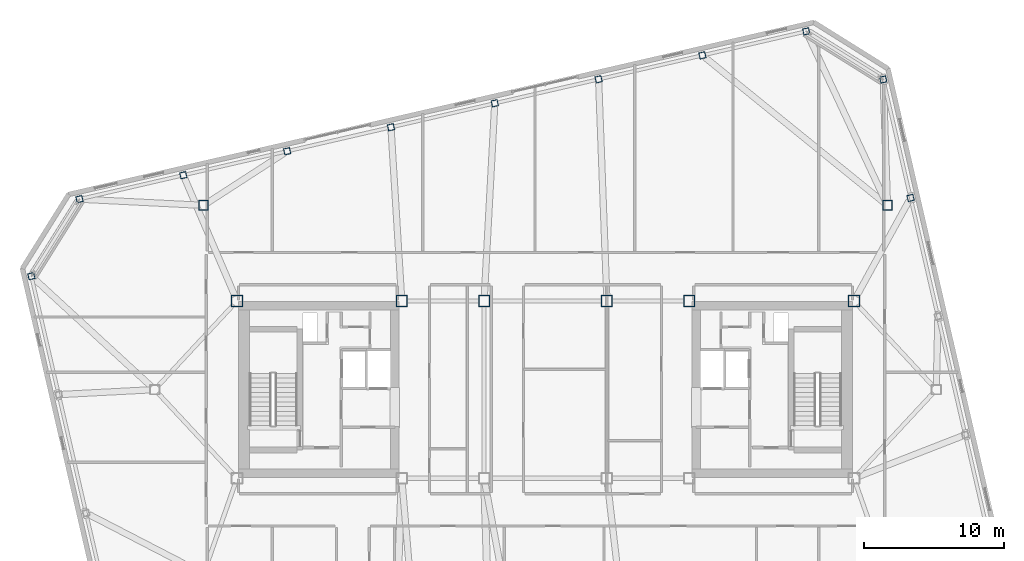
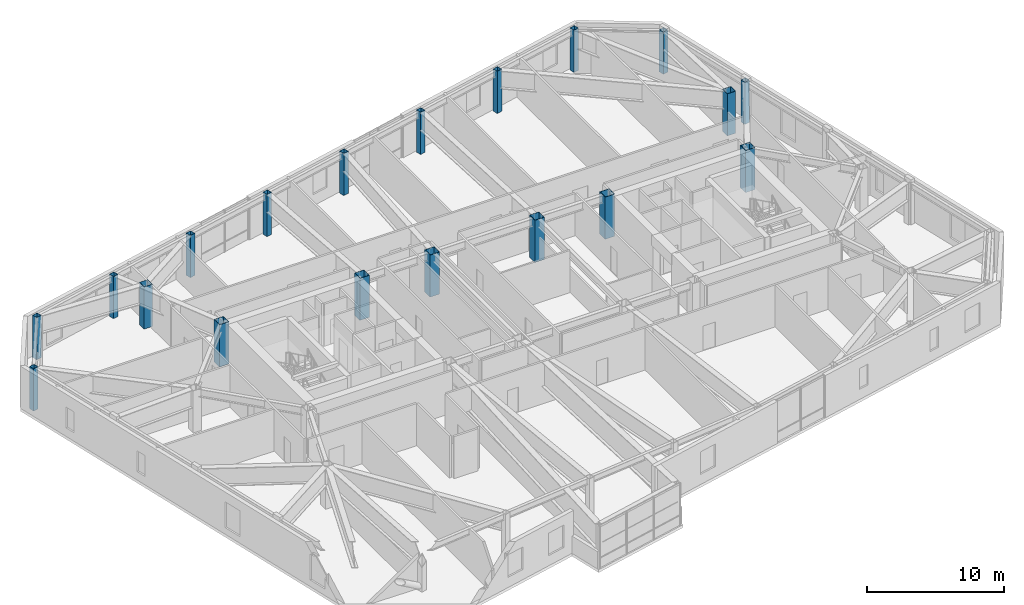
# One storey, part 3 of 23: 19 columns.
"""IFC4 building model written with IfcOpenShell, lengths in metres."""

from ifc_helpers import new_model, si_unit, direction, frame, origin, origin_2d, place, context, subcontext, project, spatial, hollow_rectangle, extrude, material, material_profile, profile_set, type_object, element, save


model = new_model("IFC4")

# Units and contexts
model_context = context("Model", 3, precision=1e-05, world=origin(), true_north=direction((0.0, 1.0)))
body_context = subcontext(model_context, "Body", "Model", "MODEL_VIEW")
ifc_project = project(units=[si_unit("LENGTHUNIT", "METRE"), si_unit("AREAUNIT", "SQUARE_METRE"), si_unit("VOLUMEUNIT", "CUBIC_METRE"), si_unit("PLANEANGLEUNIT", "RADIAN"), si_unit("MASSUNIT", "GRAM", prefix="KILO")], contexts=[model_context])

# Site, building, storey
site_placement = place(None, origin())
site = spatial("IfcSite", under=ifc_project, at=site_placement, CompositionType="ELEMENT")
building_placement = place(site_placement, origin())
building = spatial("IfcBuilding", under=site, at=building_placement, Name="Tavrogorsk Clinical Tower", CompositionType="ELEMENT")
storey_placement = place(building_placement, frame((0.0, 0.0, 277.0)))
storey = spatial("IfcBuildingStorey", under=building, at=storey_placement, Name="L64", CompositionType="ELEMENT", Elevation=277.0)

# Columns
ifc_material_1 = material(Name="Structural steel S440", Category="steel")
ifc_material_profile_1 = material_profile(ifc_material_1, hollow_rectangle(XDim=0.699951171875, YDim=0.699951171875, WallThickness=0.031982421875, at=origin_2d()), Name="BOX-700x700x32")
ifc_profile_set_1 = profile_set([ifc_material_profile_1], Name="Structural steel S440")
column_type_1 = type_object("IfcColumnType", Name="MegaCol_BOX700", PredefinedType="COLUMN", material=ifc_profile_set_1)
for number, where, z_axis, x_axis, name in (
    (1, (-24.5, 13.199951171875, 0.0), (0.0, 0.0, 1.0), (1.0, 0.0, 0.0), "L64 Spine Pilotis Column MC-P3"),
    (2, (24.5, 13.199951171875, 0.0), (0.0, 0.0, 1.0), (1.0, 0.0, 0.0), "L64 Spine Pilotis Column MC-P4"),
):
    element("IfcColumn", number, at=place(storey_placement, frame(where, z_axis=z_axis, x_axis=x_axis)), inside=storey, type_object=column_type_1, Name=name, PredefinedType="COLUMN", context=body_context, shape_type="SweptSolid", body=[
        extrude(hollow_rectangle(XDim=0.699951171875, YDim=0.699951171875, WallThickness=0.031982421875, at=origin_2d()), origin(), (0.0, 0.0, 1.0), 3.739990234375),
    ])
ifc_material_2 = material(Name="Structural steel S440", Category="steel")
ifc_material_profile_2 = material_profile(ifc_material_2, hollow_rectangle(XDim=0.800048828125, YDim=0.800048828125, WallThickness=0.035888671875, at=origin_2d()), Name="BOX-800x800x36")
ifc_profile_set_2 = profile_set([ifc_material_profile_2], Name="Structural steel S440")
column_type_2 = type_object("IfcColumnType", Name="MegaCol_BOX800", PredefinedType="COLUMN", material=ifc_profile_set_2)
for number, where, z_axis, x_axis, name in (
    (3, (-22.10009765625, 6.35009765625, 0.0), (0.0, 0.0, 1.0), (1.0, 0.0, 0.0), "L64 Mega Column MC-W2"),
    (4, (-10.300048828125, 6.35009765625, 0.0), (0.0, 0.0, 1.0), (1.0, 0.0, 0.0), "L64 Mega Column MC-W4"),
    (5, (10.300048828125, 6.35009765625, 0.0), (0.0, 0.0, 1.0), (1.0, 0.0, 0.0), "L64 Mega Column MC-E2"),
    (6, (22.10009765625, 6.35009765625, 0.0), (0.0, 0.0, 1.0), (1.0, 0.0, 0.0), "L64 Mega Column MC-E4"),
    (7, (-4.39990234375, 6.35009765625, 0.0), (0.0, 0.0, 1.0), (1.0, 0.0, 0.0), "L64 Mega Column MC-C3"),
    (8, (4.39990234375, 6.35009765625, 0.0), (0.0, 0.0, 1.0), (1.0, 0.0, 0.0), "L64 Mega Column MC-C4"),
):
    element("IfcColumn", number, at=place(storey_placement, frame(where, z_axis=z_axis, x_axis=x_axis)), inside=storey, type_object=column_type_2, Name=name, PredefinedType="COLUMN", context=body_context, shape_type="SweptSolid", body=[
        extrude(hollow_rectangle(XDim=0.800048828125, YDim=0.800048828125, WallThickness=0.035888671875, at=origin_2d()), origin(), (0.0, 0.0, 1.0), 3.739990234375),
    ])
ifc_material_3 = material(Name="Structural steel S440", Category="steel")
ifc_material_profile_3 = material_profile(ifc_material_3, hollow_rectangle(XDim=0.449951171875, YDim=0.449951171875, WallThickness=0.02197265625, at=origin_2d()), Name="BOX-450x450x22")
ifc_profile_set_3 = profile_set([ifc_material_profile_3], Name="Structural steel S440")
column_type_3 = type_object("IfcColumnType", Name="PerimCol_B5_BOX450", PredefinedType="COLUMN", material=ifc_profile_set_3)
for number, where, z_axis, x_axis, name in (
    (9, (18.681640625, 25.666259765625, 0.0), (0.0, 0.0, 1.0), (0.974370064785, 0.224951054344, 0.0), "L64 Perimeter Column N1"),
    (10, (11.2431640625, 23.948974609375, 0.0), (0.0, 0.0, 1.0), (0.974370064785, 0.224951054344, 0.0), "L64 Perimeter Column N2"),
    (11, (3.804443359375, 22.231689453125, 0.0), (0.0, 0.0, 1.0), (0.974370064785, 0.224951054344, 0.0), "L64 Perimeter Column N3"),
    (12, (-3.63427734375, 20.514404296875, 0.0), (0.0, 0.0, 1.0), (0.974370064785, 0.224951054344, 0.0), "L64 Perimeter Column N4"),
    (13, (-11.07275390625, 18.797119140625, 0.0), (0.0, 0.0, 1.0), (0.974370064785, 0.224951054344, 0.0), "L64 Perimeter Column N5"),
    (14, (-18.51123046875, 17.07958984375, 0.0), (0.0, 0.0, 1.0), (0.974370064785, 0.224951054344, 0.0), "L64 Perimeter Column N6"),
    (15, (-25.949951171875, 15.3623046875, 0.0), (0.0, 0.0, 1.0), (0.974370064785, 0.224951054344, 0.0), "L64 Perimeter Column N7"),
    (16, (-33.388671875, 13.64501953125, 0.0), (0.0, 0.0, 1.0), (0.974370064785, 0.224951054344, 0.0), "L64 Perimeter Column N8"),
    (17, (26.157958984375, 13.732177734375, 0.0), (0.0, 0.0, 1.0), (0.974370064785, 0.224951054344, 0.0), "L64 Perimeter Column E4"),
    (18, (24.198486328125, 22.218994140625, 0.0), (0.0, 0.0, 1.0), (0.974370064785, 0.224951054344, 0.0), "L64 Perimeter Column E5"),
    (19, (-36.8359375, 8.128173828125, 0.0), (0.0, 0.0, 1.0), (0.974370064785, 0.224951054344, 0.0), "L64 Perimeter Column W1"),
):
    element("IfcColumn", number, at=place(storey_placement, frame(where, z_axis=z_axis, x_axis=x_axis)), inside=storey, type_object=column_type_3, Name=name, PredefinedType="COLUMN", context=body_context, shape_type="SweptSolid", body=[
        extrude(hollow_rectangle(XDim=0.449951171875, YDim=0.449951171875, WallThickness=0.02197265625, at=origin_2d()), origin(), (0.0, 0.0, 1.0), 3.739990234375),
    ])

save(model, "model.ifc")
